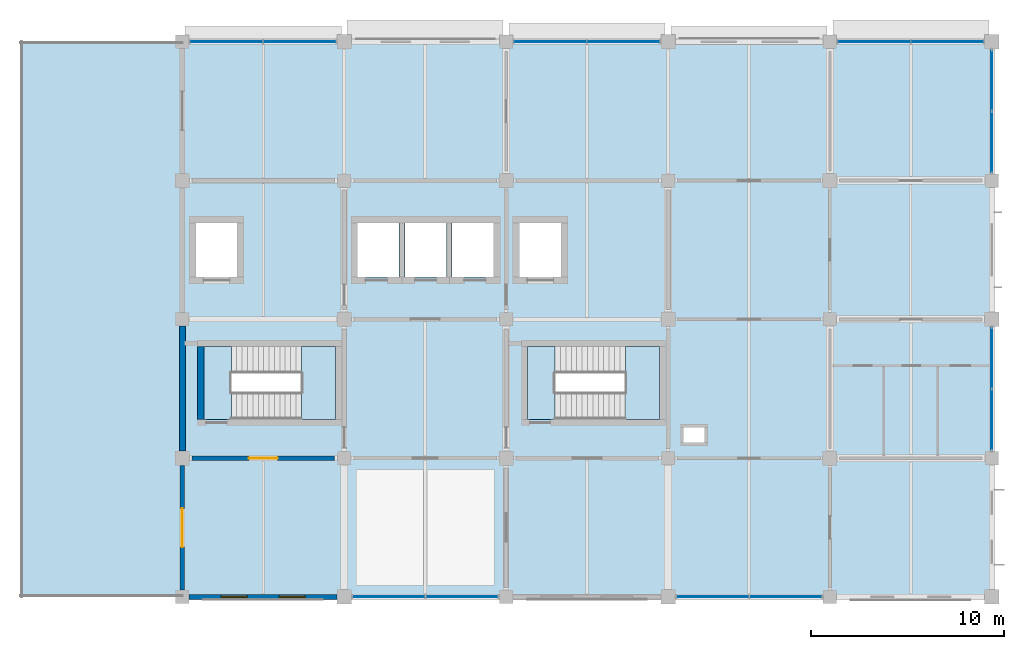
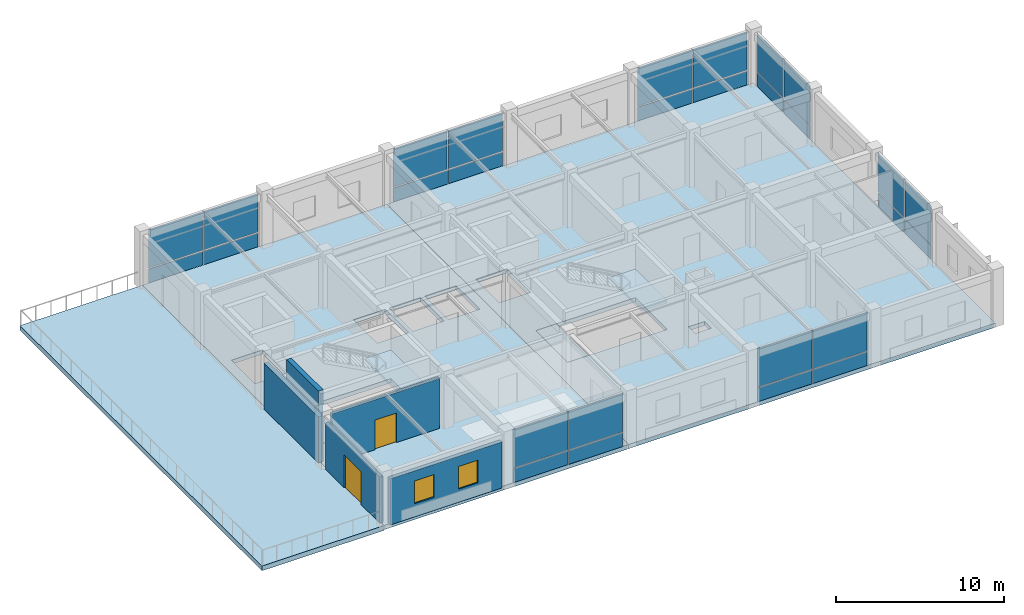
# One storey, part 5 of 10: 28 plates, 7 slabs, 5 walls, 2 doors, 2 windows, 4 openings, 9 elements without a shape of their own.
"""IFC4 building model written with IfcOpenShell, lengths in metres."""

import ifcopenshell
import ifcopenshell.guid

model = None  # the IFC model being written
_history = None  # IfcOwnerHistory: only IFC2X3 demands one
_inside = {}  # id of a spatial element -> (the spatial element, [elements in it])
_under = {}  # id of a project, library or spatial element -> (it, [spatial elements below it])
_declared = {}  # id of a project -> (the project, [libraries it declares])
_typed = {}  # id of a type object -> (the type object, [elements of that type])
_made_of = {}  # id of a material, layer set ... -> (it, [elements and type objects made of it])


def new_model(schema):
    """Start an empty IFC model of exactly this schema.

    Asked for "IFC4X3", IfcOpenShell would pick the latest addendum, in which some entities
    have other attributes; the version numbers below select the first issue.
    IFC2X3 requires an IfcOwnerHistory on every rooted entity: one is made here for all.
    """
    global model, _history
    if schema == "IFC4X3":
        model = ifcopenshell.file(schema_version=(4, 3, 0, 0))
    else:
        model = ifcopenshell.file(schema=schema)
    _inside.clear()
    _under.clear()
    _declared.clear()
    _typed.clear()
    _made_of.clear()
    _history = None
    if model.schema == "IFC2X3":
        org = make("IfcOrganization", Name="unknown")
        user = make(
            "IfcPersonAndOrganization",
            ThePerson=make("IfcPerson", FamilyName="unknown"),
            TheOrganization=org,
        )
        app = make(
            "IfcApplication",
            ApplicationDeveloper=org,
            Version="unknown",
            ApplicationFullName="unknown",
            ApplicationIdentifier="unknown",
        )
        _history = make(
            "IfcOwnerHistory",
            OwningUser=user,
            OwningApplication=app,
            ChangeAction="ADDED",
            CreationDate=0,
        )
    return model


def make(cls, **values):
    """One entity of the class cls with the attributes given. An attribute that is None is left unset."""
    return model.create_entity(
        cls, **{name: value for name, value in values.items() if value is not None}
    )


def rooted(cls, **values):
    """An entity with a GlobalId (a new one), such as an element, a storey or a relation."""
    return make(cls, GlobalId=ifcopenshell.guid.new(), OwnerHistory=_history, **values)


def si_unit(unit_type, name, prefix=None):
    """IfcSIUnit, for example si_unit("LENGTHUNIT", "METRE", prefix="MILLI")."""
    return make("IfcSIUnit", UnitType=unit_type, Prefix=prefix, Name=name)


def derived_unit(unit_type, elements):
    """IfcDerivedUnit: a product of units, each with its exponent."""
    return make(
        "IfcDerivedUnit",
        Elements=[
            make("IfcDerivedUnitElement", Unit=unit, Exponent=power)
            for unit, power in elements
        ],
        UnitType=unit_type,
    )


def assignment(units):
    """IfcUnitAssignment: the units of a project."""
    return None if units is None else make("IfcUnitAssignment", Units=units)


def point(xyz):
    """IfcCartesianPoint."""
    return None if xyz is None else make("IfcCartesianPoint", Coordinates=xyz)


def direction(xyz):
    """IfcDirection."""
    return None if xyz is None else make("IfcDirection", DirectionRatios=xyz)


def frame(location, z_axis=None, x_axis=None):
    """IfcAxis2Placement3D, a coordinate frame: its origin and axes. An axis left out is left unset."""
    return make(
        "IfcAxis2Placement3D",
        Location=point(location),
        Axis=direction(z_axis),
        RefDirection=direction(x_axis),
    )


def frame_2d(location, x_axis=None):
    """IfcAxis2Placement2D, a coordinate frame in the plane: its origin and x axis."""
    return make(
        "IfcAxis2Placement2D", Location=point(location), RefDirection=direction(x_axis)
    )


def origin():
    """The frame at (0, 0, 0) with its axes left unset."""
    return frame((0.0, 0.0, 0.0))


def origin_2d():
    """The frame at (0, 0) in the plane with its x axis left unset."""
    return frame_2d((0.0, 0.0))


def place(relative_to, where):
    """IfcLocalPlacement: puts the frame where relative to a parent placement (None: the world)."""
    return make(
        "IfcLocalPlacement", PlacementRelTo=relative_to, RelativePlacement=where
    )


def context(
    kind, dimensions, precision=None, world=None, true_north=None, identifier=None
):
    """IfcGeometricRepresentationContext, for example the 3D "Model" context."""
    return make(
        "IfcGeometricRepresentationContext",
        ContextIdentifier=identifier,
        ContextType=kind,
        CoordinateSpaceDimension=dimensions,
        Precision=precision,
        WorldCoordinateSystem=world,
        TrueNorth=true_north,
    )


def subcontext(parent, identifier, kind, view, scale=None):
    """IfcGeometricRepresentationSubContext, for example "Body" below "Model"."""
    return make(
        "IfcGeometricRepresentationSubContext",
        ContextIdentifier=identifier,
        ContextType=kind,
        ParentContext=parent,
        TargetScale=scale,
        TargetView=view,
    )


def project(units=None, contexts=None):
    """IfcProject with its units and contexts."""
    return rooted(
        "IfcProject",
        Name="project",
        RepresentationContexts=contexts,
        UnitsInContext=assignment(units),
    )


def spatial(cls, under=None, at=None, **own):
    """A site, building, storey or space (cls), placed at a placement, below another one or the project."""
    s = rooted(cls, ObjectPlacement=at, **own)
    if under is not None:
        _under.setdefault(under.id(), (under, []))[1].append(s)
    return s


def polyline(points):
    """IfcPolyline through the points."""
    return make("IfcPolyline", Points=[point(p) for p in points])


def profile(cls, at=None, kind="AREA", **sizes):
    """A parametric profile (cls). Its sizes go by their IFC names, for example OverallWidth=200.0."""
    return make(cls, ProfileType=kind, Position=at, **sizes)


def rectangle(**sizes):
    """IfcRectangleProfileDef."""
    return profile("IfcRectangleProfileDef", **sizes)


def outline(outer, holes=None, kind="AREA"):
    """IfcArbitraryClosedProfileDef: a profile drawn as a closed curve; with holes, ...WithVoids."""
    if holes is None:
        return make("IfcArbitraryClosedProfileDef", ProfileType=kind, OuterCurve=outer)
    return make(
        "IfcArbitraryProfileDefWithVoids",
        ProfileType=kind,
        OuterCurve=outer,
        InnerCurves=holes,
    )


def extrude(swept, where, along, depth):
    """IfcExtrudedAreaSolid: the profile swept, set in the frame where, extruded along a direction by depth."""
    return make(
        "IfcExtrudedAreaSolid",
        SweptArea=swept,
        Position=where,
        ExtrudedDirection=direction(along),
        Depth=depth,
    )


def shape(context_of_items, identifier, shape_type, items):
    """IfcShapeRepresentation: the items that make up one representation, for example the "Body"."""
    return make(
        "IfcShapeRepresentation",
        ContextOfItems=context_of_items,
        RepresentationIdentifier=identifier,
        RepresentationType=shape_type,
        Items=items,
    )


def material(Name=None, Category=None):
    """IfcMaterial."""
    return make("IfcMaterial", Name=Name, Category=Category)


def layer(
    of_material, thickness, ventilated=None, Name=None, Category=None, Priority=None
):
    """IfcMaterialLayer: one layer of a wall or slab, of a material (None: an air gap)."""
    return make(
        "IfcMaterialLayer",
        Material=of_material,
        LayerThickness=thickness,
        IsVentilated=ventilated,
        Name=Name,
        Category=Category,
        Priority=Priority,
    )


def layer_set(layers, Name=None):
    """IfcMaterialLayerSet."""
    return make("IfcMaterialLayerSet", MaterialLayers=layers, LayerSetName=Name)


def made_of(thing, what):
    """Note that an element or type object is made of a material, layer set ...; save() writes the relation."""
    if what is not None:
        _made_of.setdefault(what.id(), (what, []))[1].append(thing)
    return thing


def type_object(cls, material=None, **own):
    """A type object (cls), such as IfcWallType, which elements share."""
    return made_of(rooted(cls, **own), material)


def element(
    cls,
    number,
    at=None,
    inside=None,
    cuts=None,
    type_object=None,
    material=None,
    context=None,
    identifier="Body",
    shape_type=None,
    held_by="IfcProductDefinitionShape",
    body=None,
    shapes=None,
    **own,
):
    """One element of the class cls, such as IfcWall. Its Tag is "e" and its number.

    at: its placement. inside: the storey or other place that contains it. cuts: it is an
    opening in that element (IfcRelVoidsElement). A single representation is given by context,
    identifier, shape_type and body (its items); several are given by shapes. held_by: the class
    of the entity that holds the representations. save() writes the other relations.
    """
    e = rooted(cls, Tag="e%d" % number, ObjectPlacement=at, **own)
    if body is not None:
        shapes = [shape(context, identifier, shape_type, body)]
    if shapes is not None:
        e.Representation = make(held_by, Representations=shapes)
    if inside is not None:
        _inside.setdefault(inside.id(), (inside, []))[1].append(e)
    if cuts is not None:
        rooted(
            "IfcRelVoidsElement", RelatingBuildingElement=cuts, RelatedOpeningElement=e
        )
    if type_object is not None:
        _typed.setdefault(type_object.id(), (type_object, []))[1].append(e)
    return made_of(e, material)


def fill(opening, filler):
    """IfcRelFillsElement: the door or window that sits in an opening."""
    return rooted(
        "IfcRelFillsElement",
        RelatingOpeningElement=opening,
        RelatedBuildingElement=filler,
    )


def aggregate(whole, parts):
    """IfcRelAggregates: a whole, such as a stair, and the parts it consists of."""
    return rooted("IfcRelAggregates", RelatingObject=whole, RelatedObjects=parts)


def save(model, path):
    """Write the relations noted so far, then the file.

    IfcRelAggregates (storeys below a building ...), IfcRelContainedInSpatialStructure (elements
    in a storey), IfcRelDefinesByType, IfcRelAssociatesMaterial and IfcRelDeclares: one each for
    every whole, place, type object, material and project.
    """
    for whole, parts in _under.values():
        aggregate(whole, parts)
    for where, things in _inside.values():
        rooted(
            "IfcRelContainedInSpatialStructure",
            RelatedElements=things,
            RelatingStructure=where,
        )
    for kind, things in _typed.values():
        rooted("IfcRelDefinesByType", RelatedObjects=things, RelatingType=kind)
    for what, things in _made_of.values():
        rooted("IfcRelAssociatesMaterial", RelatedObjects=things, RelatingMaterial=what)
    for by, libraries in _declared.values():
        rooted("IfcRelDeclares", RelatingContext=by, RelatedDefinitions=libraries)
    model.write(path)


model = new_model("IFC4")

# Units and contexts
model_context = context("Model", 3, precision=1e-05, world=origin(), true_north=direction((0.0, 1.0)))
body_context = subcontext(model_context, "Body", "Model", "MODEL_VIEW")
ifc_project = project(units=[si_unit("LENGTHUNIT", "METRE"), si_unit("AREAUNIT", "SQUARE_METRE"), si_unit("VOLUMEUNIT", "CUBIC_METRE"), si_unit("PLANEANGLEUNIT", "RADIAN"), si_unit("MASSUNIT", "GRAM", prefix="KILO"), derived_unit("THERMALTRANSMITTANCEUNIT", [(si_unit("MASSUNIT", "GRAM", prefix="KILO"), 1), (si_unit("TIMEUNIT", "SECOND"), -3), (si_unit("THERMODYNAMICTEMPERATUREUNIT", "KELVIN"), -1)])], contexts=[model_context])

# Site, building, storey
site_placement = place(None, origin())
site = spatial("IfcSite", under=ifc_project, at=site_placement, CompositionType="ELEMENT")
building_placement = place(site_placement, origin())
building = spatial("IfcBuilding", under=site, at=building_placement, Name="Veldstrom Oceanarium and Marine Research Institute", CompositionType="ELEMENT")
storey_placement = place(building_placement, frame((0.0, 0.0, 43.800048828125)))
storey = spatial("IfcBuildingStorey", under=building, at=storey_placement, Name="L09", CompositionType="ELEMENT", Elevation=43.800048828125)

# Curtain wall, plates
ifc_material_1 = material(Name="Anodised Aluminium Framing", Category="aluminium")
curtain_wall_type_1 = type_object("IfcCurtainWallType", Name="ARC-CW-CW04", PredefinedType="USERDEFINED", material=ifc_material_1)
curtain_wall_1_placement = place(storey_placement, origin())
curtain_wall_1 = element("IfcCurtainWall", 1, at=curtain_wall_1_placement, inside=storey, type_object=curtain_wall_type_1, Name="Curtain Wall CW04 CW-L09-134", ObjectType="Curtain wall", PredefinedType="USERDEFINED")
ifc_material_2 = material(Name="Double Glazed Low-E IGU", Category="glass")
ifc_layer_1 = layer(ifc_material_2, 0.035888671875)
ifc_layer_set_1 = layer_set([ifc_layer_1], Name="ARC-PLT-CP03")
plate_type_1 = type_object("IfcPlateType", Name="ARC-PLT-CP03", PredefinedType="CURTAIN_PANEL", material=ifc_layer_set_1)
plate_1_placement = place(storey_placement, frame((77.888916015625, 72.0, 1.08984375), z_axis=(0.0, 0.0, 1.0), x_axis=(1.0, 0.0, 0.0)))
plate_1 = element("IfcPlate", 2, at=plate_1_placement, type_object=plate_type_1, Name="Curtain Vision Panel CW-L09-134-PNL-V1", PredefinedType="CURTAIN_PANEL", context=body_context, shape_type="SweptSolid", body=[
    extrude(rectangle(XDim=3.717529296875, YDim=0.035888671875, at=origin_2d()), origin(), (0.0, 0.0, 1.0), 2.7900390625),
])
plate_2_placement = place(storey_placement, frame((81.686279296875, 72.0, 1.08984375), z_axis=(0.0, 0.0, 1.0), x_axis=(1.0, 0.0, 0.0)))
plate_2 = element("IfcPlate", 3, at=plate_2_placement, type_object=plate_type_1, Name="Curtain Vision Panel CW-L09-134-PNL-V2", PredefinedType="CURTAIN_PANEL", context=body_context, shape_type="SweptSolid", body=[
    extrude(rectangle(XDim=3.717529296875, YDim=0.035888671875, at=origin_2d()), origin(), (0.0, 0.0, 1.0), 2.7900390625),
])

curtain_wall_2_placement = place(storey_placement, origin())
curtain_wall_2 = element("IfcCurtainWall", 4, at=curtain_wall_2_placement, inside=storey, type_object=curtain_wall_type_1, Name="Curtain Wall CW04 CW-L09-135", ObjectType="Curtain wall", PredefinedType="USERDEFINED")
plate_3_placement = place(storey_placement, frame((86.313720703125, 43.199951171875, 1.08984375), z_axis=(0.0, 0.0, 1.0), x_axis=(1.0, 0.0, 0.0)))
plate_3 = element("IfcPlate", 5, at=plate_3_placement, type_object=plate_type_1, Name="Curtain Vision Panel CW-L09-135-PNL-V1", PredefinedType="CURTAIN_PANEL", context=body_context, shape_type="SweptSolid", body=[
    extrude(rectangle(XDim=3.717529296875, YDim=0.035888671875, at=origin_2d()), origin(), (0.0, 0.0, 1.0), 2.7900390625),
])
plate_4_placement = place(storey_placement, frame((90.111083984375, 43.199951171875, 1.08984375), z_axis=(0.0, 0.0, 1.0), x_axis=(1.0, 0.0, 0.0)))
plate_4 = element("IfcPlate", 6, at=plate_4_placement, type_object=plate_type_1, Name="Curtain Vision Panel CW-L09-135-PNL-V2", PredefinedType="CURTAIN_PANEL", context=body_context, shape_type="SweptSolid", body=[
    extrude(rectangle(XDim=3.717529296875, YDim=0.035888671875, at=origin_2d()), origin(), (0.0, 0.0, 1.0), 2.7900390625),
])

curtain_wall_3_placement = place(storey_placement, origin())
curtain_wall_3 = element("IfcCurtainWall", 7, at=curtain_wall_3_placement, inside=storey, type_object=curtain_wall_type_1, Name="Curtain Wall CW04 CW-L09-136", ObjectType="Curtain wall", PredefinedType="USERDEFINED")
plate_5_placement = place(storey_placement, frame((94.688720703125, 72.0, 1.08984375), z_axis=(0.0, 0.0, 1.0), x_axis=(1.0, 0.0, 0.0)))
plate_5 = element("IfcPlate", 8, at=plate_5_placement, type_object=plate_type_1, Name="Curtain Vision Panel CW-L09-136-PNL-V1", PredefinedType="CURTAIN_PANEL", context=body_context, shape_type="SweptSolid", body=[
    extrude(rectangle(XDim=3.717529296875, YDim=0.035888671875, at=origin_2d()), origin(), (0.0, 0.0, 1.0), 2.7900390625),
])
plate_6_placement = place(storey_placement, frame((98.486083984375, 72.0, 1.08984375), z_axis=(0.0, 0.0, 1.0), x_axis=(1.0, 0.0, 0.0)))
plate_6 = element("IfcPlate", 9, at=plate_6_placement, type_object=plate_type_1, Name="Curtain Vision Panel CW-L09-136-PNL-V2", PredefinedType="CURTAIN_PANEL", context=body_context, shape_type="SweptSolid", body=[
    extrude(rectangle(XDim=3.717529296875, YDim=0.035888671875, at=origin_2d()), origin(), (0.0, 0.0, 1.0), 2.7900390625),
])

curtain_wall_4_placement = place(storey_placement, origin())
curtain_wall_4 = element("IfcCurtainWall", 10, at=curtain_wall_4_placement, inside=storey, type_object=curtain_wall_type_1, Name="Curtain Wall CW04 CW-L09-137", ObjectType="Curtain wall", PredefinedType="USERDEFINED")
plate_7_placement = place(storey_placement, frame((103.11376953125, 43.199951171875, 1.08984375), z_axis=(0.0, 0.0, 1.0), x_axis=(1.0, 0.0, 0.0)))
plate_7 = element("IfcPlate", 11, at=plate_7_placement, type_object=plate_type_1, Name="Curtain Vision Panel CW-L09-137-PNL-V1", PredefinedType="CURTAIN_PANEL", context=body_context, shape_type="SweptSolid", body=[
    extrude(rectangle(XDim=3.717529296875, YDim=0.035888671875, at=origin_2d()), origin(), (0.0, 0.0, 1.0), 2.7900390625),
])
plate_8_placement = place(storey_placement, frame((106.9111328125, 43.199951171875, 1.08984375), z_axis=(0.0, 0.0, 1.0), x_axis=(1.0, 0.0, 0.0)))
plate_8 = element("IfcPlate", 12, at=plate_8_placement, type_object=plate_type_1, Name="Curtain Vision Panel CW-L09-137-PNL-V2", PredefinedType="CURTAIN_PANEL", context=body_context, shape_type="SweptSolid", body=[
    extrude(rectangle(XDim=3.717529296875, YDim=0.035888671875, at=origin_2d()), origin(), (0.0, 0.0, 1.0), 2.7900390625),
])

curtain_wall_5_placement = place(storey_placement, origin())
curtain_wall_5 = element("IfcCurtainWall", 13, at=curtain_wall_5_placement, inside=storey, type_object=curtain_wall_type_1, Name="Curtain Wall CW04 CW-L09-139", ObjectType="Curtain wall", PredefinedType="USERDEFINED")
plate_9_placement = place(storey_placement, frame((111.48876953125, 72.0, 1.08984375), z_axis=(0.0, 0.0, 1.0), x_axis=(1.0, 0.0, 0.0)))
plate_9 = element("IfcPlate", 14, at=plate_9_placement, type_object=plate_type_1, Name="Curtain Vision Panel CW-L09-139-PNL-V1", PredefinedType="CURTAIN_PANEL", context=body_context, shape_type="SweptSolid", body=[
    extrude(rectangle(XDim=3.717529296875, YDim=0.035888671875, at=origin_2d()), origin(), (0.0, 0.0, 1.0), 2.7900390625),
])
plate_10_placement = place(storey_placement, frame((115.2861328125, 72.0, 1.08984375), z_axis=(0.0, 0.0, 1.0), x_axis=(1.0, 0.0, 0.0)))
plate_10 = element("IfcPlate", 15, at=plate_10_placement, type_object=plate_type_1, Name="Curtain Vision Panel CW-L09-139-PNL-V2", PredefinedType="CURTAIN_PANEL", context=body_context, shape_type="SweptSolid", body=[
    extrude(rectangle(XDim=3.717529296875, YDim=0.035888671875, at=origin_2d()), origin(), (0.0, 0.0, 1.0), 2.7900390625),
])

# Plate
ifc_material_3 = material(Name="Insulated Aluminium Spandrel", Category="aluminium")
ifc_layer_2 = layer(ifc_material_3, 0.044921875)
ifc_layer_set_2 = layer_set([ifc_layer_2], Name="ARC-PLT-CP04")
plate_type_2 = type_object("IfcPlateType", Name="ARC-PLT-CP04", PredefinedType="CURTAIN_PANEL", material=ifc_layer_set_2)
plate_11_placement = place(storey_placement, frame((77.888916015625, 72.0, 0.02001953125), z_axis=(0.0, 0.0, 1.0), x_axis=(1.0, 0.0, 0.0)))
plate_11 = element("IfcPlate", 16, at=plate_11_placement, type_object=plate_type_2, Name="Curtain Spandrel Panel CW-L09-134-PNL-S1", PredefinedType="CURTAIN_PANEL", context=body_context, shape_type="SweptSolid", body=[
    extrude(rectangle(XDim=3.717529296875, YDim=0.044921875, at=origin_2d()), origin(), (0.0, 0.0, 1.0), 0.989990234375),
])

plate_12_placement = place(storey_placement, frame((81.686279296875, 72.0, 0.02001953125), z_axis=(0.0, 0.0, 1.0), x_axis=(1.0, 0.0, 0.0)))
plate_12 = element("IfcPlate", 17, at=plate_12_placement, type_object=plate_type_2, Name="Curtain Spandrel Panel CW-L09-134-PNL-S2", PredefinedType="CURTAIN_PANEL", context=body_context, shape_type="SweptSolid", body=[
    extrude(rectangle(XDim=3.717529296875, YDim=0.044921875, at=origin_2d()), origin(), (0.0, 0.0, 1.0), 0.989990234375),
])

aggregate(curtain_wall_1, [plate_11, plate_1, plate_12, plate_2])

plate_13_placement = place(storey_placement, frame((86.313720703125, 43.199951171875, 0.02001953125), z_axis=(0.0, 0.0, 1.0), x_axis=(1.0, 0.0, 0.0)))
plate_13 = element("IfcPlate", 18, at=plate_13_placement, type_object=plate_type_2, Name="Curtain Spandrel Panel CW-L09-135-PNL-S1", PredefinedType="CURTAIN_PANEL", context=body_context, shape_type="SweptSolid", body=[
    extrude(rectangle(XDim=3.717529296875, YDim=0.044921875, at=origin_2d()), origin(), (0.0, 0.0, 1.0), 0.989990234375),
])

plate_14_placement = place(storey_placement, frame((90.111083984375, 43.199951171875, 0.02001953125), z_axis=(0.0, 0.0, 1.0), x_axis=(1.0, 0.0, 0.0)))
plate_14 = element("IfcPlate", 19, at=plate_14_placement, type_object=plate_type_2, Name="Curtain Spandrel Panel CW-L09-135-PNL-S2", PredefinedType="CURTAIN_PANEL", context=body_context, shape_type="SweptSolid", body=[
    extrude(rectangle(XDim=3.717529296875, YDim=0.044921875, at=origin_2d()), origin(), (0.0, 0.0, 1.0), 0.989990234375),
])

aggregate(curtain_wall_2, [plate_13, plate_3, plate_14, plate_4])

plate_15_placement = place(storey_placement, frame((94.688720703125, 72.0, 0.02001953125), z_axis=(0.0, 0.0, 1.0), x_axis=(1.0, 0.0, 0.0)))
plate_15 = element("IfcPlate", 20, at=plate_15_placement, type_object=plate_type_2, Name="Curtain Spandrel Panel CW-L09-136-PNL-S1", PredefinedType="CURTAIN_PANEL", context=body_context, shape_type="SweptSolid", body=[
    extrude(rectangle(XDim=3.717529296875, YDim=0.044921875, at=origin_2d()), origin(), (0.0, 0.0, 1.0), 0.989990234375),
])

plate_16_placement = place(storey_placement, frame((98.486083984375, 72.0, 0.02001953125), z_axis=(0.0, 0.0, 1.0), x_axis=(1.0, 0.0, 0.0)))
plate_16 = element("IfcPlate", 21, at=plate_16_placement, type_object=plate_type_2, Name="Curtain Spandrel Panel CW-L09-136-PNL-S2", PredefinedType="CURTAIN_PANEL", context=body_context, shape_type="SweptSolid", body=[
    extrude(rectangle(XDim=3.717529296875, YDim=0.044921875, at=origin_2d()), origin(), (0.0, 0.0, 1.0), 0.989990234375),
])

aggregate(curtain_wall_3, [plate_15, plate_5, plate_16, plate_6])

plate_17_placement = place(storey_placement, frame((103.11376953125, 43.199951171875, 0.02001953125), z_axis=(0.0, 0.0, 1.0), x_axis=(1.0, 0.0, 0.0)))
plate_17 = element("IfcPlate", 22, at=plate_17_placement, type_object=plate_type_2, Name="Curtain Spandrel Panel CW-L09-137-PNL-S1", PredefinedType="CURTAIN_PANEL", context=body_context, shape_type="SweptSolid", body=[
    extrude(rectangle(XDim=3.717529296875, YDim=0.044921875, at=origin_2d()), origin(), (0.0, 0.0, 1.0), 0.989990234375),
])

plate_18_placement = place(storey_placement, frame((106.9111328125, 43.199951171875, 0.02001953125), z_axis=(0.0, 0.0, 1.0), x_axis=(1.0, 0.0, 0.0)))
plate_18 = element("IfcPlate", 23, at=plate_18_placement, type_object=plate_type_2, Name="Curtain Spandrel Panel CW-L09-137-PNL-S2", PredefinedType="CURTAIN_PANEL", context=body_context, shape_type="SweptSolid", body=[
    extrude(rectangle(XDim=3.717529296875, YDim=0.044921875, at=origin_2d()), origin(), (0.0, 0.0, 1.0), 0.989990234375),
])

aggregate(curtain_wall_4, [plate_17, plate_7, plate_18, plate_8])

plate_19_placement = place(storey_placement, frame((111.48876953125, 72.0, 0.02001953125), z_axis=(0.0, 0.0, 1.0), x_axis=(1.0, 0.0, 0.0)))
plate_19 = element("IfcPlate", 24, at=plate_19_placement, type_object=plate_type_2, Name="Curtain Spandrel Panel CW-L09-139-PNL-S1", PredefinedType="CURTAIN_PANEL", context=body_context, shape_type="SweptSolid", body=[
    extrude(rectangle(XDim=3.717529296875, YDim=0.044921875, at=origin_2d()), origin(), (0.0, 0.0, 1.0), 0.989990234375),
])

plate_20_placement = place(storey_placement, frame((115.2861328125, 72.0, 0.02001953125), z_axis=(0.0, 0.0, 1.0), x_axis=(1.0, 0.0, 0.0)))
plate_20 = element("IfcPlate", 25, at=plate_20_placement, type_object=plate_type_2, Name="Curtain Spandrel Panel CW-L09-139-PNL-S2", PredefinedType="CURTAIN_PANEL", context=body_context, shape_type="SweptSolid", body=[
    extrude(rectangle(XDim=3.717529296875, YDim=0.044921875, at=origin_2d()), origin(), (0.0, 0.0, 1.0), 0.989990234375),
])

aggregate(curtain_wall_5, [plate_19, plate_9, plate_20, plate_10])

# Curtain wall, plates
ifc_material_4 = material(Name="Anodised Aluminium Framing", Category="aluminium")
curtain_wall_type_2 = type_object("IfcCurtainWallType", Name="ARC-CW-CW08", PredefinedType="USERDEFINED", material=ifc_material_4)
curtain_wall_6_placement = place(storey_placement, origin())
curtain_wall_6 = element("IfcCurtainWall", 26, at=curtain_wall_6_placement, inside=storey, type_object=curtain_wall_type_2, Name="Curtain Wall CW08 CW-L09-138", ObjectType="Curtain wall", PredefinedType="USERDEFINED")
ifc_material_5 = material(Name="Double Glazed Low-E IGU", Category="glass")
ifc_layer_3 = layer(ifc_material_5, 0.035888671875)
ifc_layer_set_3 = layer_set([ifc_layer_3], Name="ARC-PLT-CP07")
plate_type_3 = type_object("IfcPlateType", Name="ARC-PLT-CP07", PredefinedType="CURTAIN_PANEL", material=ifc_layer_set_3)
plate_21_placement = place(storey_placement, frame((117.60009765625, 52.388916015625, 1.08984375), z_axis=(0.0, 0.0, 1.0), x_axis=(0.0, 1.0, 0.0)))
plate_21 = element("IfcPlate", 27, at=plate_21_placement, type_object=plate_type_3, Name="Curtain Vision Panel CW-L09-138-PNL-V1", PredefinedType="CURTAIN_PANEL", context=body_context, shape_type="SweptSolid", body=[
    extrude(rectangle(XDim=3.117431640625, YDim=0.035888671875, at=origin_2d()), origin(), (0.0, 0.0, 1.0), 2.7900390625),
])
plate_22_placement = place(storey_placement, frame((117.60009765625, 55.586181640625, 1.08984375), z_axis=(0.0, 0.0, 1.0), x_axis=(0.0, 1.0, 0.0)))
plate_22 = element("IfcPlate", 28, at=plate_22_placement, type_object=plate_type_3, Name="Curtain Vision Panel CW-L09-138-PNL-V2", PredefinedType="CURTAIN_PANEL", context=body_context, shape_type="SweptSolid", body=[
    extrude(rectangle(XDim=3.117431640625, YDim=0.035888671875, at=origin_2d()), origin(), (0.0, 0.0, 1.0), 2.7900390625),
])

curtain_wall_7_placement = place(storey_placement, origin())
curtain_wall_7 = element("IfcCurtainWall", 29, at=curtain_wall_7_placement, inside=storey, type_object=curtain_wall_type_2, Name="Curtain Wall CW08 CW-L09-140", ObjectType="Curtain wall", PredefinedType="USERDEFINED")
plate_23_placement = place(storey_placement, frame((117.60009765625, 66.788818359375, 1.08984375), z_axis=(0.0, 0.0, 1.0), x_axis=(0.0, 1.0, 0.0)))
plate_23 = element("IfcPlate", 30, at=plate_23_placement, type_object=plate_type_3, Name="Curtain Vision Panel CW-L09-140-PNL-V1", PredefinedType="CURTAIN_PANEL", context=body_context, shape_type="SweptSolid", body=[
    extrude(rectangle(XDim=3.117431640625, YDim=0.035888671875, at=origin_2d()), origin(), (0.0, 0.0, 1.0), 2.7900390625),
])
plate_24_placement = place(storey_placement, frame((117.60009765625, 69.986328125, 1.08984375), z_axis=(0.0, 0.0, 1.0), x_axis=(0.0, 1.0, 0.0)))
plate_24 = element("IfcPlate", 31, at=plate_24_placement, type_object=plate_type_3, Name="Curtain Vision Panel CW-L09-140-PNL-V2", PredefinedType="CURTAIN_PANEL", context=body_context, shape_type="SweptSolid", body=[
    extrude(rectangle(XDim=3.117431640625, YDim=0.035888671875, at=origin_2d()), origin(), (0.0, 0.0, 1.0), 2.7900390625),
])

# Plate
ifc_material_6 = material(Name="Insulated Aluminium Spandrel", Category="aluminium")
ifc_layer_4 = layer(ifc_material_6, 0.044921875)
ifc_layer_set_4 = layer_set([ifc_layer_4], Name="ARC-PLT-CP08")
plate_type_4 = type_object("IfcPlateType", Name="ARC-PLT-CP08", PredefinedType="CURTAIN_PANEL", material=ifc_layer_set_4)
plate_25_placement = place(storey_placement, frame((117.60009765625, 52.388916015625, 0.02001953125), z_axis=(0.0, 0.0, 1.0), x_axis=(0.0, 1.0, 0.0)))
plate_25 = element("IfcPlate", 32, at=plate_25_placement, type_object=plate_type_4, Name="Curtain Spandrel Panel CW-L09-138-PNL-S1", PredefinedType="CURTAIN_PANEL", context=body_context, shape_type="SweptSolid", body=[
    extrude(rectangle(XDim=3.117431640625, YDim=0.044921875, at=origin_2d()), origin(), (0.0, 0.0, 1.0), 0.989990234375),
])

plate_26_placement = place(storey_placement, frame((117.60009765625, 55.586181640625, 0.02001953125), z_axis=(0.0, 0.0, 1.0), x_axis=(0.0, 1.0, 0.0)))
plate_26 = element("IfcPlate", 33, at=plate_26_placement, type_object=plate_type_4, Name="Curtain Spandrel Panel CW-L09-138-PNL-S2", PredefinedType="CURTAIN_PANEL", context=body_context, shape_type="SweptSolid", body=[
    extrude(rectangle(XDim=3.117431640625, YDim=0.044921875, at=origin_2d()), origin(), (0.0, 0.0, 1.0), 0.989990234375),
])

aggregate(curtain_wall_6, [plate_25, plate_21, plate_26, plate_22])

plate_27_placement = place(storey_placement, frame((117.60009765625, 66.788818359375, 0.02001953125), z_axis=(0.0, 0.0, 1.0), x_axis=(0.0, 1.0, 0.0)))
plate_27 = element("IfcPlate", 34, at=plate_27_placement, type_object=plate_type_4, Name="Curtain Spandrel Panel CW-L09-140-PNL-S1", PredefinedType="CURTAIN_PANEL", context=body_context, shape_type="SweptSolid", body=[
    extrude(rectangle(XDim=3.117431640625, YDim=0.044921875, at=origin_2d()), origin(), (0.0, 0.0, 1.0), 0.989990234375),
])

plate_28_placement = place(storey_placement, frame((117.60009765625, 69.986328125, 0.02001953125), z_axis=(0.0, 0.0, 1.0), x_axis=(0.0, 1.0, 0.0)))
plate_28 = element("IfcPlate", 35, at=plate_28_placement, type_object=plate_type_4, Name="Curtain Spandrel Panel CW-L09-140-PNL-S2", PredefinedType="CURTAIN_PANEL", context=body_context, shape_type="SweptSolid", body=[
    extrude(rectangle(XDim=3.117431640625, YDim=0.044921875, at=origin_2d()), origin(), (0.0, 0.0, 1.0), 0.989990234375),
])

aggregate(curtain_wall_7, [plate_27, plate_23, plate_28, plate_24])

# Slabs
ifc_material_7 = material(Name="Concrete C40/50", Category="concrete")
ifc_layer_5 = layer(ifc_material_7, 0.300048828125)
ifc_layer_set_5 = layer_set([ifc_layer_5], Name="STR-SLB-FL0300")
slab_type_1 = type_object("IfcSlabType", Name="STR-SLB-FL0300", PredefinedType="FLOOR", material=ifc_layer_set_5)
slab_1_placement = place(storey_placement, frame((0.0, 0.0, -0.300048828125)))
element("IfcSlab", 36, at=slab_1_placement, inside=storey, type_object=slab_type_1, Name="Slab SF-300 L09 CW", PredefinedType="FLOOR", context=body_context, shape_type="SweptSolid", body=[
    extrude(outline(polyline([(92.39990234375, 50.39990234375), (92.39990234375, 43.199951171875), (84.0, 43.199951171875), (75.60009765625, 43.199951171875), (75.60009765625, 50.39990234375), (75.60009765625, 57.60009765625), (75.60009765625, 64.800048828125), (75.60009765625, 72.0), (84.0, 72.0), (92.39990234375, 72.0), (92.39990234375, 64.800048828125), (92.39990234375, 57.60009765625), (92.39990234375, 50.39990234375)]), holes=[polyline([(76.719970703125, 52.39990234375), (83.56005859375, 52.39990234375), (83.56005859375, 56.199951171875), (76.719970703125, 56.199951171875), (76.719970703125, 52.39990234375)]), polyline([(78.449951171875, 62.60009765625), (76.300048828125, 62.60009765625), (76.300048828125, 59.800048828125), (78.449951171875, 59.800048828125), (78.449951171875, 62.60009765625)]), polyline([(84.699951171875, 59.800048828125), (86.85009765625, 59.800048828125), (86.85009765625, 62.60009765625), (84.699951171875, 62.60009765625), (84.699951171875, 59.800048828125)]), polyline([(87.14990234375, 62.60009765625), (87.14990234375, 59.800048828125), (89.300048828125, 59.800048828125), (89.300048828125, 62.60009765625), (87.14990234375, 62.60009765625)]), polyline([(91.75, 62.60009765625), (89.60009765625, 62.60009765625), (89.60009765625, 59.800048828125), (91.75, 59.800048828125), (91.75, 62.60009765625)])]), origin(), (0.0, 0.0, 1.0), 0.300048828125),
])
slab_2_placement = place(storey_placement, frame((0.0, 0.0, -0.300048828125)))
element("IfcSlab", 37, at=slab_2_placement, inside=storey, type_object=slab_type_1, Name="Slab SF-300 L09 CE", PredefinedType="FLOOR", context=body_context, shape_type="SweptSolid", body=[
    extrude(outline(polyline([(117.60009765625, 57.60009765625), (117.60009765625, 50.39990234375), (117.60009765625, 43.199951171875), (109.199951171875, 43.199951171875), (100.800048828125, 43.199951171875), (92.39990234375, 43.199951171875), (92.39990234375, 50.39990234375), (92.39990234375, 57.60009765625), (92.39990234375, 64.800048828125), (92.39990234375, 72.0), (100.800048828125, 72.0), (109.199951171875, 72.0), (117.60009765625, 72.0), (117.60009765625, 64.800048828125), (117.60009765625, 57.60009765625)]), holes=[polyline([(93.52001953125, 52.39990234375), (100.360107421875, 52.39990234375), (100.360107421875, 56.199951171875), (93.52001953125, 56.199951171875), (93.52001953125, 52.39990234375)]), polyline([(95.25, 62.60009765625), (93.10009765625, 62.60009765625), (93.10009765625, 59.800048828125), (95.25, 59.800048828125), (95.25, 62.60009765625)]), polyline([(102.699951171875, 52.0), (101.60009765625, 52.0), (101.60009765625, 51.199951171875), (102.699951171875, 51.199951171875), (102.699951171875, 52.0)])]), origin(), (0.0, 0.0, 1.0), 0.300048828125),
])

# Stair, slab
ifc_material_8 = material(Name="Concrete C40/50", Category="concrete")
stair_type = type_object("IfcStairType", Name="ARC-STR-ST-420", PredefinedType="TWO_STRAIGHT_RUN_STAIR", material=ifc_material_8)
stair_1_placement = place(storey_placement, origin())
stair_1 = element("IfcStair", 38, at=stair_1_placement, inside=storey, type_object=stair_type, Name="Dog-Leg Escape Stair ST1-L09", PredefinedType="TWO_STRAIGHT_RUN_STAIR")
ifc_material_9 = material(Name="Concrete C40/50", Category="concrete")
ifc_layer_6 = layer(ifc_material_9, 0.179931640625)
ifc_layer_set_6 = layer_set([ifc_layer_6], Name="STR-SLB-LD180")
slab_type_2 = type_object("IfcSlabType", Name="STR-SLB-LD180", PredefinedType="LANDING", material=ifc_layer_set_6)
slab_3_placement = place(storey_placement, frame((0.0, 0.0, 1.919921875)))
slab_3 = element("IfcSlab", 39, at=slab_3_placement, type_object=slab_type_2, Name="Stair Half-Landing ST1 L09", PredefinedType="LANDING", context=body_context, shape_type="SweptSolid", body=[
    extrude(outline(polyline([(81.780029296875, 52.39990234375), (83.56005859375, 52.39990234375), (83.56005859375, 56.199951171875), (81.780029296875, 56.199951171875), (81.780029296875, 52.39990234375)])), origin(), (0.0, 0.0, 1.0), 0.179931640625),
])
aggregate(stair_1, [slab_3])

stair_2_placement = place(storey_placement, origin())
stair_2 = element("IfcStair", 40, at=stair_2_placement, inside=storey, type_object=stair_type, Name="Dog-Leg Escape Stair ST2-L09", PredefinedType="TWO_STRAIGHT_RUN_STAIR")
slab_4_placement = place(storey_placement, frame((0.0, 0.0, 1.919921875)))
slab_4 = element("IfcSlab", 41, at=slab_4_placement, type_object=slab_type_2, Name="Stair Half-Landing ST2 L09", PredefinedType="LANDING", context=body_context, shape_type="SweptSolid", body=[
    extrude(outline(polyline([(98.580078125, 52.39990234375), (100.360107421875, 52.39990234375), (100.360107421875, 56.199951171875), (98.580078125, 56.199951171875), (98.580078125, 52.39990234375)])), origin(), (0.0, 0.0, 1.0), 0.179931640625),
])
aggregate(stair_2, [slab_4])

# Slabs
ifc_material_10 = material(Name="Concrete C40/50", Category="concrete")
ifc_layer_7 = layer(ifc_material_10, 0.199951171875)
ifc_layer_set_7 = layer_set([ifc_layer_7], Name="STR-SLB-LD200")
slab_type_3 = type_object("IfcSlabType", Name="STR-SLB-LD200", PredefinedType="LANDING", material=ifc_layer_set_7)
slab_5_placement = place(storey_placement, frame((0.0, 0.0, -0.199951171875)))
element("IfcSlab", 42, at=slab_5_placement, inside=storey, type_object=slab_type_3, Name="Stair Floor Landing ST1 L09", PredefinedType="LANDING", context=body_context, shape_type="SweptSolid", body=[
    extrude(outline(polyline([(76.719970703125, 52.39990234375), (78.139892578125, 52.39990234375), (78.139892578125, 56.199951171875), (76.719970703125, 56.199951171875), (76.719970703125, 52.39990234375)])), origin(), (0.0, 0.0, 1.0), 0.199951171875),
])
slab_6_placement = place(storey_placement, frame((0.0, 0.0, -0.199951171875)))
element("IfcSlab", 43, at=slab_6_placement, inside=storey, type_object=slab_type_3, Name="Stair Floor Landing ST2 L09", PredefinedType="LANDING", context=body_context, shape_type="SweptSolid", body=[
    extrude(outline(polyline([(93.52001953125, 52.39990234375), (94.93994140625, 52.39990234375), (94.93994140625, 56.199951171875), (93.52001953125, 56.199951171875), (93.52001953125, 52.39990234375)])), origin(), (0.0, 0.0, 1.0), 0.199951171875),
])
ifc_material_11 = material(Name="Concrete C40/50", Category="concrete")
ifc_layer_8 = layer(ifc_material_11, 0.35009765625)
ifc_layer_set_8 = layer_set([ifc_layer_8], Name="STR-SLB-RF0350")
slab_type_4 = type_object("IfcSlabType", Name="STR-SLB-RF0350", PredefinedType="ROOF", material=ifc_layer_set_8)
slab_7_placement = place(storey_placement, frame((0.0, 0.0, -0.35009765625)))
element("IfcSlab", 44, at=slab_7_placement, inside=storey, type_object=slab_type_4, Name="Landscaped Roof Terrace Slab L09", PredefinedType="ROOF", context=body_context, shape_type="SweptSolid", body=[
    extrude(outline(polyline([(67.199951171875, 43.199951171875), (67.199951171875, 50.39990234375), (67.199951171875, 57.60009765625), (67.199951171875, 64.800048828125), (67.199951171875, 72.0), (75.60009765625, 72.0), (75.60009765625, 64.800048828125), (75.60009765625, 57.60009765625), (75.60009765625, 50.39990234375), (75.60009765625, 43.199951171875), (67.199951171875, 43.199951171875)])), origin(), (0.0, 0.0, 1.0), 0.35009765625),
])

# Wall
ifc_material_12 = material(Name="Masonry Cavity Wall", Category="masonry")
ifc_layer_9 = layer(ifc_material_12, 0.31005859375)
ifc_layer_set_9 = layer_set([ifc_layer_9], Name="ARC-WAL-EW1")
wall_type_1 = type_object("IfcWallType", Name="ARC-WAL-EW1", PredefinedType="SOLIDWALL", material=ifc_layer_set_9)
wall_1_placement = place(storey_placement, frame((75.60009765625, 50.77490234375, 0.0), z_axis=(0.0, 0.0, 1.0), x_axis=(0.0, 1.0, 0.0)))
element("IfcWall", 45, at=wall_1_placement, inside=storey, type_object=wall_type_1, Name="Exterior Facade Wall EW1 L09-214", PredefinedType="SOLIDWALL", context=body_context, shape_type="SweptSolid", body=[
    extrude(rectangle(XDim=6.47509765625, YDim=0.31005859375, at=frame_2d((3.237548828125, 0.0))), origin(), (0.0, 0.0, 1.0), 3.344970703125),
])

# Wall, openings, windows
ifc_material_13 = material(Name="Masonry Cavity Wall", Category="masonry")
ifc_layer_10 = layer(ifc_material_13, 0.25)
ifc_layer_set_10 = layer_set([ifc_layer_10], Name="ARC-WAL-EW5")
wall_type_2 = type_object("IfcWallType", Name="ARC-WAL-EW5", PredefinedType="SOLIDWALL", material=ifc_layer_set_10)
wall_2_placement = place(storey_placement, frame((75.949951171875, 43.199951171875, 0.0), z_axis=(0.0, 0.0, 1.0), x_axis=(1.0, 0.0, 0.0)))
wall_2 = element("IfcWall", 46, at=wall_2_placement, inside=storey, type_object=wall_type_2, Name="Exterior Facade Wall EW5 L09-212", PredefinedType="SOLIDWALL", context=body_context, shape_type="SweptSolid", body=[
    extrude(rectangle(XDim=7.675048828125, YDim=0.25, at=frame_2d((3.83740234375, 0.0))), origin(), (0.0, 0.0, 1.0), 3.344970703125),
])
opening_1_placement = place(wall_2_placement, frame((1.658203125, 0.0, 0.949951171875)))
opening_1 = element("IfcOpeningElement", 47, at=opening_1_placement, cuts=wall_2, Name="Opening W24", PredefinedType="OPENING", context=body_context, shape_type="SweptSolid", body=[
    extrude(rectangle(XDim=1.35009765625, YDim=1.64990234375, at=frame_2d((0.675048828125, 0.824951171875))), frame((0.0, 0.135009765625, 0.0), z_axis=(0.0, -1.0, 0.0), x_axis=(1.0, 0.0, 0.0)), (0.0, 0.0, 1.0), 0.27001953125),
])
opening_2_placement = place(wall_2_placement, frame((4.666748046875, 0.0, 0.949951171875)))
opening_2 = element("IfcOpeningElement", 48, at=opening_2_placement, cuts=wall_2, Name="Opening W24", PredefinedType="OPENING", context=body_context, shape_type="SweptSolid", body=[
    extrude(rectangle(XDim=1.35009765625, YDim=1.64990234375, at=frame_2d((0.675048828125, 0.824951171875))), frame((0.0, 0.135009765625, 0.0), z_axis=(0.0, -1.0, 0.0), x_axis=(1.0, 0.0, 0.0)), (0.0, 0.0, 1.0), 0.27001953125),
])
ifc_material_14 = material(Name="Double Glazed Low-E IGU", Category="glass")
window_type = type_object("IfcWindowType", Name="ARC-WIN-W24", PartitioningType="SINGLE_PANEL", PredefinedType="WINDOW", material=ifc_material_14)
window_1_placement = place(opening_1_placement, origin())
window_1 = element("IfcWindow", 49, at=window_1_placement, inside=storey, type_object=window_type, Name="Facade Window W24 L09-0187", OverallHeight=1.64990234375, OverallWidth=1.35009765625, PartitioningType="SINGLE_PANEL", PredefinedType="WINDOW", context=body_context, shape_type="SweptSolid", body=[
    extrude(rectangle(XDim=1.35009765625, YDim=1.64990234375, at=frame_2d((0.675048828125, 0.824951171875))), frame((0.0, 0.030029296875, 0.0), z_axis=(0.0, -1.0, 0.0), x_axis=(1.0, 0.0, 0.0)), (0.0, 0.0, 1.0), 0.06005859375),
])
fill(opening_1, window_1)
window_2_placement = place(opening_2_placement, origin())
window_2 = element("IfcWindow", 50, at=window_2_placement, inside=storey, type_object=window_type, Name="Facade Window W24 L09-0188", OverallHeight=1.64990234375, OverallWidth=1.35009765625, PartitioningType="SINGLE_PANEL", PredefinedType="WINDOW", context=body_context, shape_type="SweptSolid", body=[
    extrude(rectangle(XDim=1.35009765625, YDim=1.64990234375, at=frame_2d((0.675048828125, 0.824951171875))), frame((0.0, 0.030029296875, 0.0), z_axis=(0.0, -1.0, 0.0), x_axis=(1.0, 0.0, 0.0)), (0.0, 0.0, 1.0), 0.06005859375),
])
fill(opening_2, window_2)

# Wall, opening, door
ifc_material_15 = material(Name="Masonry Cavity Wall", Category="masonry")
ifc_layer_11 = layer(ifc_material_15, 0.215087890625)
ifc_layer_set_11 = layer_set([ifc_layer_11], Name="ARC-WAL-EW6")
wall_type_3 = type_object("IfcWallType", Name="ARC-WAL-EW6", PredefinedType="SOLIDWALL", material=ifc_layer_set_11)
wall_3_placement = place(storey_placement, frame((75.60009765625, 43.550048828125, 0.0), z_axis=(0.0, 0.0, 1.0), x_axis=(0.0, 1.0, 0.0)))
wall_3 = element("IfcWall", 51, at=wall_3_placement, inside=storey, type_object=wall_type_3, Name="Exterior Facade Wall EW6 L09-213", PredefinedType="SOLIDWALL", context=body_context, shape_type="SweptSolid", body=[
    extrude(rectangle(XDim=6.474853515625, YDim=0.215087890625, at=frame_2d((3.2373046875, 0.0))), origin(), (0.0, 0.0, 1.0), 3.344970703125),
])
opening_3_placement = place(wall_3_placement, frame((2.237548828125, 0.0, 0.0)))
opening_3 = element("IfcOpeningElement", 52, at=opening_3_placement, cuts=wall_3, Name="Opening D-L09-019", PredefinedType="OPENING", context=body_context, shape_type="SweptSolid", body=[
    extrude(rectangle(XDim=2.0, YDim=2.39990234375, at=frame_2d((1.0, 1.199951171875))), frame((0.0, 0.117431640625, 0.0), z_axis=(0.0, -1.0, 0.0), x_axis=(1.0, 0.0, 0.0)), (0.0, 0.0, 1.0), 0.235107421875),
])
ifc_material_16 = material(Name="Anodised Aluminium Glazed Door", Category="aluminium")
door_type_1 = type_object("IfcDoorType", Name="ARC-DOR-ED1", OperationType="DOUBLE_DOOR_SINGLE_SWING", PredefinedType="DOOR", material=ifc_material_16)
door_1_placement = place(opening_3_placement, origin())
door_1 = element("IfcDoor", 53, at=door_1_placement, inside=storey, type_object=door_type_1, Name="Terrace Access Door D-L09-019", OperationType="DOUBLE_DOOR_SINGLE_SWING", OverallHeight=2.39990234375, OverallWidth=2.0, PredefinedType="DOOR", context=body_context, shape_type="SweptSolid", body=[
    extrude(rectangle(XDim=2.0, YDim=2.39990234375, at=frame_2d((1.0, 1.199951171875))), frame((0.0, 0.02490234375, 0.0), z_axis=(0.0, -1.0, 0.0), x_axis=(1.0, 0.0, 0.0)), (0.0, 0.0, 1.0), 0.050048828125),
])
fill(opening_3, door_1)

ifc_material_17 = material(Name="Masonry Fire Compartment Wall", Category="masonry")
ifc_layer_12 = layer(ifc_material_17, 0.22998046875)
ifc_layer_set_12 = layer_set([ifc_layer_12], Name="ARC-WAL-PT1")
wall_type_4 = type_object("IfcWallType", Name="ARC-WAL-PT1", PredefinedType="PARTITIONING", material=ifc_layer_set_12)
wall_4_placement = place(storey_placement, frame((76.10009765625, 50.39990234375, 0.0), z_axis=(0.0, 0.0, 1.0), x_axis=(1.0, 0.0, 0.0)))
wall_4 = element("IfcWall", 54, at=wall_4_placement, inside=storey, type_object=wall_type_4, Name="Interior Partition PT1 L09-1605", PredefinedType="PARTITIONING", context=body_context, shape_type="SweptSolid", body=[
    extrude(rectangle(XDim=7.39990234375, YDim=0.22998046875, at=frame_2d((3.699951171875, 0.0))), origin(), (0.0, 0.0, 1.0), 3.625),
])
opening_4_placement = place(wall_4_placement, frame((2.949951171875, 0.0, 0.0)))
opening_4 = element("IfcOpeningElement", 55, at=opening_4_placement, cuts=wall_4, Name="Opening D-L09-977", PredefinedType="OPENING", context=body_context, shape_type="SweptSolid", body=[
    extrude(rectangle(XDim=1.5, YDim=2.14990234375, at=frame_2d((0.75, 1.074951171875))), frame((0.0, 0.125, 0.0), z_axis=(0.0, -1.0, 0.0), x_axis=(1.0, 0.0, 0.0)), (0.0, 0.0, 1.0), 0.25),
])
ifc_material_18 = material(Name="Painted Steel Lobby Fire Door", Category="steel")
door_type_2 = type_object("IfcDoorType", Name="ARC-DOR-SD2", OperationType="DOUBLE_DOOR_SINGLE_SWING", PredefinedType="DOOR", material=ifc_material_18)
door_2_placement = place(opening_4_placement, frame((1.5, 0.0, 0.0), z_axis=(0.0, 0.0, 1.0), x_axis=(-1.0, 0.0, 0.0)))
door_2 = element("IfcDoor", 56, at=door_2_placement, inside=storey, type_object=door_type_2, Name="Interior Door D-L09-977", OperationType="DOUBLE_DOOR_SINGLE_SWING", OverallHeight=2.14990234375, OverallWidth=1.5, PredefinedType="DOOR", context=body_context, shape_type="SweptSolid", body=[
    extrude(rectangle(XDim=1.5, YDim=2.14990234375, at=frame_2d((0.75, 1.074951171875))), frame((0.0, 0.02490234375, 0.0), z_axis=(0.0, -1.0, 0.0), x_axis=(1.0, 0.0, 0.0)), (0.0, 0.0, 1.0), 0.050048828125),
])
fill(opening_4, door_2)

# Wall
ifc_material_19 = material(Name="Concrete C40/50", Category="concrete")
ifc_layer_13 = layer(ifc_material_19, 0.320068359375)
ifc_layer_set_13 = layer_set([ifc_layer_13], Name="STR-WAL-WC3")
wall_type_5 = type_object("IfcWallType", Name="STR-WAL-WC3", PredefinedType="SHEAR", material=ifc_layer_set_13)
wall_5_placement = place(storey_placement, frame((76.56005859375, 52.39990234375, 0.0), z_axis=(0.0, 0.0, 1.0), x_axis=(0.0, 1.0, 0.0)))
element("IfcWall", 57, at=wall_5_placement, inside=storey, type_object=wall_type_5, Name="Stair Core Shear Wall SC1-L09-W", PredefinedType="SHEAR", context=body_context, shape_type="SweptSolid", body=[
    extrude(rectangle(XDim=3.800048828125, YDim=0.320068359375, at=frame_2d((1.89990234375, 0.0))), origin(), (0.0, 0.0, 1.0), 3.89990234375),
])

save(model, "model.ifc")
